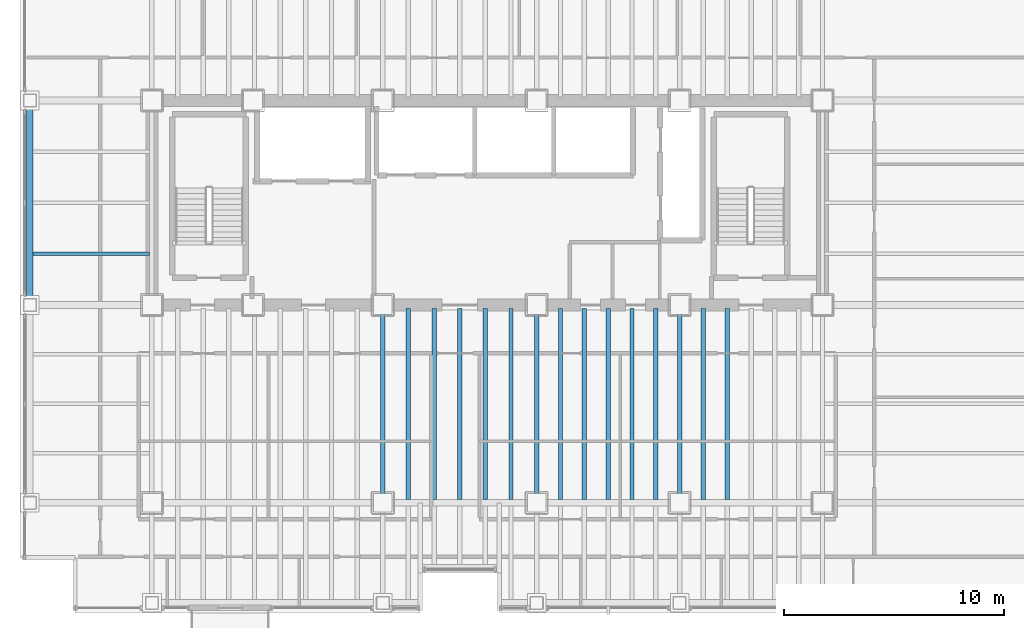
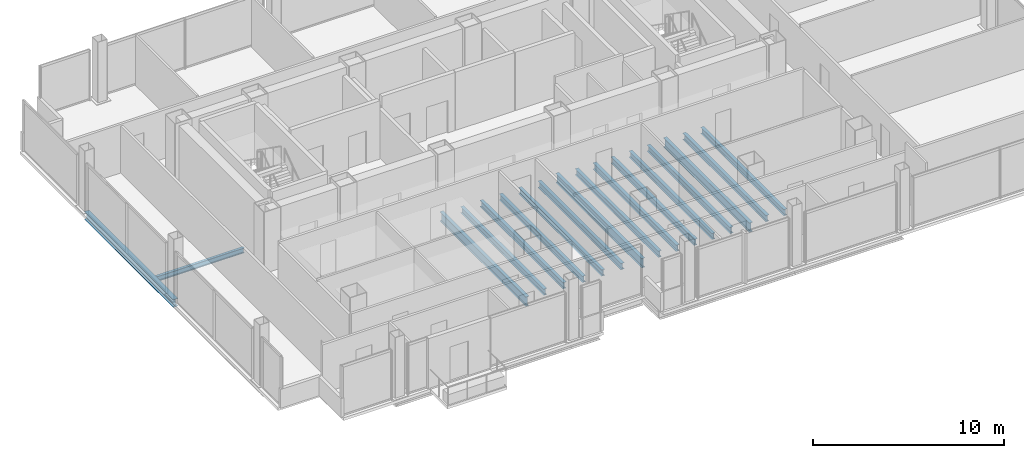
# One storey, part 5 of 20: 17 beams.
"""IFC4 building model written with IfcOpenShell, lengths in metres."""

from ifc_helpers import new_model, si_unit, direction, frame, origin, origin_2d, place, context, subcontext, project, spatial, i_section, extrude, material, material_profile, profile_set, type_object, element, save


model = new_model("IFC4")

# Units and contexts
model_context = context("Model", 3, precision=1e-05, world=origin(), true_north=direction((0.0, 1.0)))
body_context = subcontext(model_context, "Body", "Model", "MODEL_VIEW")
ifc_project = project(units=[si_unit("LENGTHUNIT", "METRE"), si_unit("AREAUNIT", "SQUARE_METRE"), si_unit("VOLUMEUNIT", "CUBIC_METRE"), si_unit("PLANEANGLEUNIT", "RADIAN"), si_unit("MASSUNIT", "GRAM", prefix="KILO")], contexts=[model_context])

# Site, building, storey
site_placement = place(None, origin())
site = spatial("IfcSite", under=ifc_project, at=site_placement, CompositionType="ELEMENT")
building_placement = place(site_placement, origin())
building = spatial("IfcBuilding", under=site, at=building_placement, Name="Noeulbin Bourse Tower", CompositionType="ELEMENT")
storey_placement = place(building_placement, frame((0.0, 0.0, 69.39990234375)))
storey = spatial("IfcBuildingStorey", under=building, at=storey_placement, Name="L17", CompositionType="ELEMENT", Elevation=69.39990234375)

# Beams
ifc_material = material(Name="Steel S355", Category="steel")
ifc_material_profile_1 = material_profile(ifc_material, i_section(OverallWidth=0.199951171875, OverallDepth=0.60009765625, WebThickness=0.010986328125, FlangeThickness=0.01708984375, FilletRadius=0.02197265625, at=origin_2d()), Name="H-600x200x11x17", Category="LoadBearing")
ifc_profile_set_1 = profile_set([ifc_material_profile_1], Name="Steel S355")
beam_type_1 = type_object("IfcBeamType", Name="BM-GRD-600", PredefinedType="USERDEFINED", material=ifc_profile_set_1)
for number, where, z_axis, x_axis, name in (
    (1, (24.0, 20.0, -0.47998046875), (0.0, 1.0, 0.0), (-1.0, 0.0, 0.0), "Tower Primary Girder NS L17-2.2"),
    (2, (31.0, 20.0, -0.47998046875), (0.0, 1.0, 0.0), (-1.0, 0.0, 0.0), "Tower Primary Girder NS L17-3.2"),
    (3, (37.5, 20.0, -0.47998046875), (0.0, 1.0, 0.0), (-1.0, 0.0, 0.0), "Tower Primary Girder NS L17-4.2"),
):
    element("IfcBeam", number, at=place(storey_placement, frame(where, z_axis=z_axis, x_axis=x_axis)), inside=storey, type_object=beam_type_1, Name=name, ObjectType="GIRDER", PredefinedType="USERDEFINED", context=body_context, shape_type="SweptSolid", body=[
        extrude(i_section(OverallWidth=0.199951171875, OverallDepth=0.60009765625, WebThickness=0.010986328125, FlangeThickness=0.01708984375, FilletRadius=0.02197265625, at=origin_2d()), origin(), (0.0, 0.0, 1.0), 9.0),
    ])
ifc_material_profile_2 = material_profile(ifc_material, i_section(OverallWidth=0.159912109375, OverallDepth=0.320068359375, WebThickness=0.006591796875, FlangeThickness=0.010009765625, FilletRadius=0.012939453125, at=origin_2d()), Name="H-320x160x6.5x10", Category="LoadBearing")
ifc_profile_set_2 = profile_set([ifc_material_profile_2], Name="Steel S355")
beam_type_2 = type_object("IfcBeamType", Name="BM-JST-320", PredefinedType="JOIST", material=ifc_profile_set_2)
beam_1_placement = place(storey_placement, frame((8.10009765625, 31.324951171875, -0.33984375), z_axis=(1.0, 0.0, 0.0), x_axis=(0.0, 1.0, 0.0)))
element("IfcBeam", 4, at=beam_1_placement, inside=storey, type_object=beam_type_2, Name="Wing Composite Joist L17-W73", PredefinedType="JOIST", context=body_context, shape_type="SweptSolid", body=[
    extrude(i_section(OverallWidth=0.159912109375, OverallDepth=0.320068359375, WebThickness=0.006591796875, FlangeThickness=0.010009765625, FilletRadius=0.012939453125, at=origin_2d()), origin(), (0.0, 0.0, 1.0), 5.2998046875),
])
ifc_material_profile_3 = material_profile(ifc_material, i_section(OverallWidth=0.199951171875, OverallDepth=0.39990234375, WebThickness=0.008056640625, FlangeThickness=0.012939453125, FilletRadius=0.01611328125, at=origin_2d()), Name="H-400x200x8x13", Category="LoadBearing")
ifc_profile_set_3 = profile_set([ifc_material_profile_3], Name="Steel S355")
beam_type_3 = type_object("IfcBeamType", Name="BM-SEC-400", PredefinedType="BEAM", material=ifc_profile_set_3)
for number, where, z_axis, x_axis, name in (
    (5, (25.166748046875, 20.14990234375, -0.3798828125), (0.0, 1.0, 0.0), (-1.0, 0.0, 0.0), "Tower Composite Joist L17-26"),
    (6, (26.333251953125, 20.14990234375, -0.3798828125), (0.0, 1.0, 0.0), (-1.0, 0.0, 0.0), "Tower Composite Joist L17-29"),
    (7, (27.5, 20.14990234375, -0.3798828125), (0.0, 1.0, 0.0), (-1.0, 0.0, 0.0), "Tower Composite Joist L17-32"),
    (8, (28.666748046875, 20.14990234375, -0.3798828125), (0.0, 1.0, 0.0), (-1.0, 0.0, 0.0), "Tower Composite Joist L17-35"),
    (9, (29.833251953125, 20.14990234375, -0.3798828125), (0.0, 1.0, 0.0), (-1.0, 0.0, 0.0), "Tower Composite Joist L17-38"),
    (10, (32.083251953125, 20.14990234375, -0.3798828125), (0.0, 1.0, 0.0), (-1.0, 0.0, 0.0), "Tower Composite Joist L17-41"),
    (11, (33.166748046875, 20.14990234375, -0.3798828125), (0.0, 1.0, 0.0), (-1.0, 0.0, 0.0), "Tower Composite Joist L17-44"),
    (12, (34.25, 20.14990234375, -0.3798828125), (0.0, 1.0, 0.0), (-1.0, 0.0, 0.0), "Tower Composite Joist L17-47"),
    (13, (35.333251953125, 20.14990234375, -0.3798828125), (0.0, 1.0, 0.0), (-1.0, 0.0, 0.0), "Tower Composite Joist L17-50"),
    (14, (36.416748046875, 20.14990234375, -0.3798828125), (0.0, 1.0, 0.0), (-1.0, 0.0, 0.0), "Tower Composite Joist L17-53"),
    (15, (38.583251953125, 20.14990234375, -0.3798828125), (0.0, 1.0, 0.0), (-1.0, 0.0, 0.0), "Tower Composite Joist L17-56"),
    (16, (39.666748046875, 20.14990234375, -0.3798828125), (0.0, 1.0, 0.0), (-1.0, 0.0, 0.0), "Tower Composite Joist L17-59"),
):
    element("IfcBeam", number, at=place(storey_placement, frame(where, z_axis=z_axis, x_axis=x_axis)), inside=storey, type_object=beam_type_3, Name=name, PredefinedType="BEAM", context=body_context, shape_type="SweptSolid", body=[
        extrude(i_section(OverallWidth=0.199951171875, OverallDepth=0.39990234375, WebThickness=0.008056640625, FlangeThickness=0.012939453125, FilletRadius=0.01611328125, at=origin_2d()), origin(), (0.0, 0.0, 1.0), 8.7001953125),
    ])
ifc_material_profile_4 = material_profile(ifc_material, i_section(OverallWidth=0.300048828125, OverallDepth=0.488037109375, WebThickness=0.010986328125, FlangeThickness=0.01806640625, FilletRadius=0.02197265625, at=origin_2d()), Name="H-488x300x11x18", Category="LoadBearing")
ifc_profile_set_4 = profile_set([ifc_material_profile_4], Name="Steel S355")
beam_type_4 = type_object("IfcBeamType", Name="BM-SPN-488", PredefinedType="SPANDREL", material=ifc_profile_set_4)
beam_2_placement = place(storey_placement, frame((7.949951171875, 29.0, -0.423828125), z_axis=(0.0, 1.0, 0.0), x_axis=(-1.0, 0.0, 0.0)))
element("IfcBeam", 17, at=beam_2_placement, inside=storey, type_object=beam_type_4, Name="West Spandrel L17-2", PredefinedType="SPANDREL", context=body_context, shape_type="SweptSolid", body=[
    extrude(i_section(OverallWidth=0.300048828125, OverallDepth=0.488037109375, WebThickness=0.010986328125, FlangeThickness=0.01806640625, FilletRadius=0.02197265625, at=origin_2d()), origin(), (0.0, 0.0, 1.0), 9.300048828125),
])

save(model, "model.ifc")
